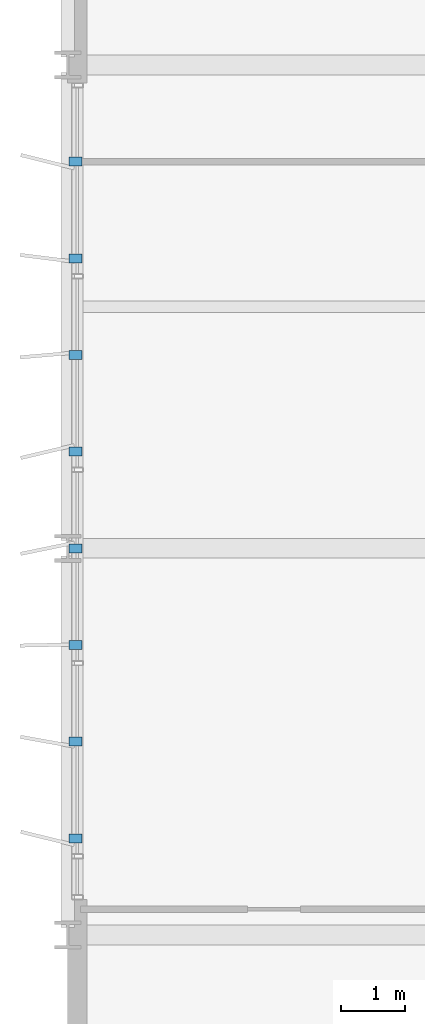
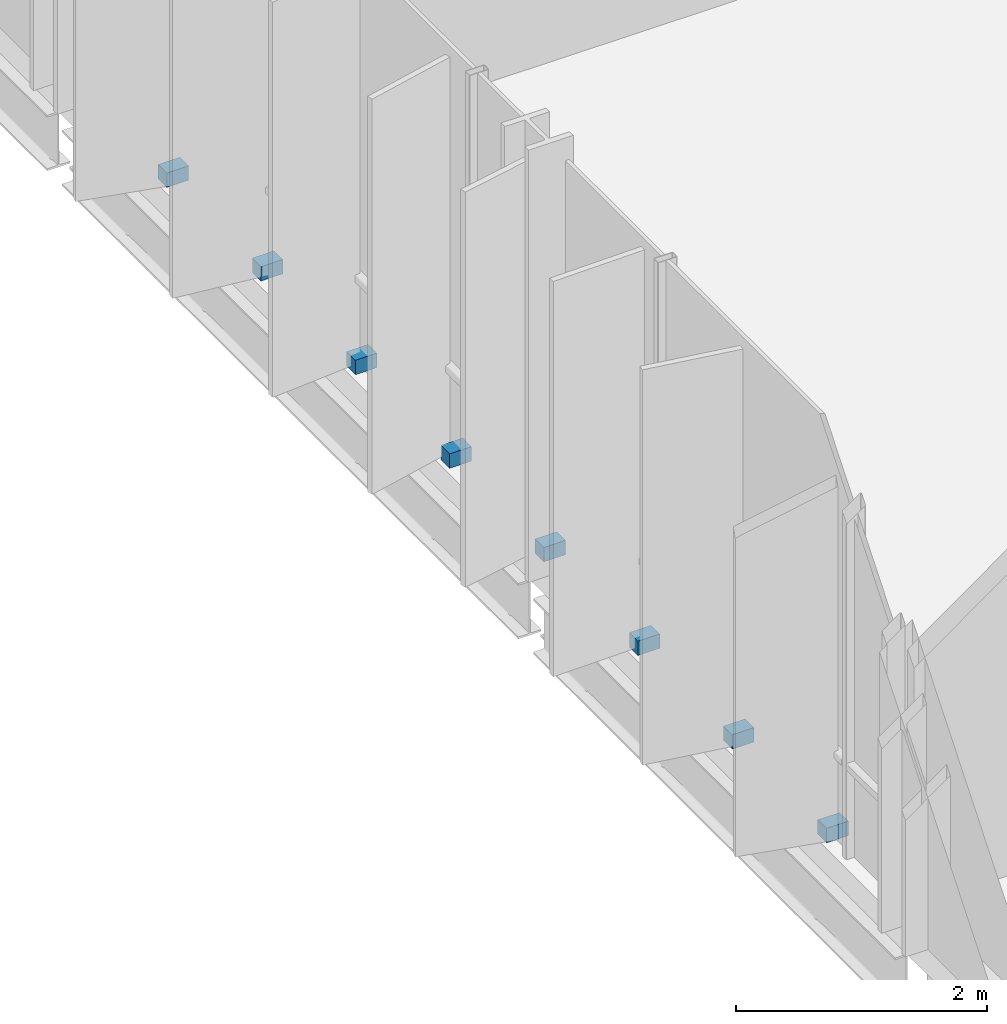
# One storey, part 27 of 32: 8 discrete accessories.
"""IFC4 building model written with IfcOpenShell, lengths in metres."""

from ifc_helpers import new_model, si_unit, direction, frame, origin, origin_2d, place, context, subcontext, project, spatial, rectangle, extrude, material, type_object, element, save


model = new_model("IFC4")

# Units and contexts
model_context = context("Model", 3, precision=1e-05, world=origin(), true_north=direction((0.0, 1.0)))
body_context = subcontext(model_context, "Body", "Model", "MODEL_VIEW")
ifc_project = project(units=[si_unit("LENGTHUNIT", "METRE"), si_unit("AREAUNIT", "SQUARE_METRE"), si_unit("VOLUMEUNIT", "CUBIC_METRE"), si_unit("PLANEANGLEUNIT", "RADIAN"), si_unit("MASSUNIT", "GRAM", prefix="KILO")], contexts=[model_context])

# Site, building, storey
site_placement = place(None, origin())
site = spatial("IfcSite", under=ifc_project, at=site_placement, CompositionType="ELEMENT")
building_placement = place(site_placement, origin())
building = spatial("IfcBuilding", under=site, at=building_placement, Name="Brevholm Reach", CompositionType="ELEMENT")
storey_placement = place(building_placement, frame((0.0, 0.0, 134.5)))
storey = spatial("IfcBuildingStorey", under=building, at=storey_placement, Name="L40", CompositionType="ELEMENT", Elevation=134.5)

# Discrete accessories
ifc_material = material(Name="Duplex Stainless Steel EN 1.4462", Category="steel")
discrete_accessory_type = type_object("IfcDiscreteAccessoryType", Name="ACC-BRK-01", PredefinedType="BRACKET", material=ifc_material)
for number, where, z_axis, x_axis, name in (
    (1, (0.1201171875, 11.5, 0.0302734375), (0.0, 0.0, 1.0), (-1.0, 0.0, 0.0), "L40 Solar Screen Support Bracket 1"),
    (2, (0.1201171875, 13.0, 0.0302734375), (0.0, 0.0, 1.0), (-1.0, 0.0, 0.0), "L40 Solar Screen Support Bracket 2"),
    (3, (0.1201171875, 14.5, 0.0302734375), (0.0, 0.0, 1.0), (-1.0, 0.0, 0.0), "L40 Solar Screen Support Bracket 3"),
    (4, (0.1201171875, 16.0, 0.0302734375), (0.0, 0.0, 1.0), (-1.0, 0.0, 0.0), "L40 Solar Screen Support Bracket 4"),
    (5, (0.1201171875, 17.5, 0.0302734375), (0.0, 0.0, 1.0), (-1.0, 0.0, 0.0), "L40 Solar Screen Support Bracket 5"),
    (6, (0.1201171875, 19.0, 0.0302734375), (0.0, 0.0, 1.0), (-1.0, 0.0, 0.0), "L40 Solar Screen Support Bracket 6"),
    (7, (0.1201171875, 20.5, 0.0302734375), (0.0, 0.0, 1.0), (-1.0, 0.0, 0.0), "L40 Solar Screen Support Bracket 7"),
    (8, (0.1201171875, 22.0, 0.0302734375), (0.0, 0.0, 1.0), (-1.0, 0.0, 0.0), "L40 Solar Screen Support Bracket 8"),
):
    element("IfcDiscreteAccessory", number, at=place(storey_placement, frame(where, z_axis=z_axis, x_axis=x_axis)), inside=storey, type_object=discrete_accessory_type, Name=name, PredefinedType="BRACKET", context=body_context, shape_type="SweptSolid", body=[
        extrude(rectangle(XDim=0.199951171875, YDim=0.139892578125, at=origin_2d()), origin(), (0.0, 0.0, 1.0), 0.139892578125),
    ])

save(model, "model.ifc")
